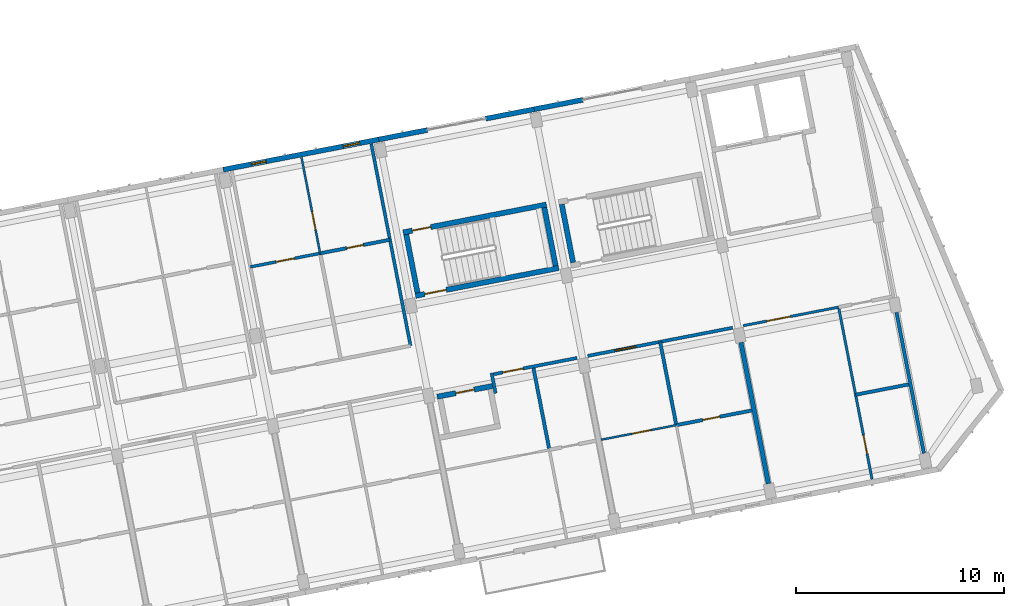
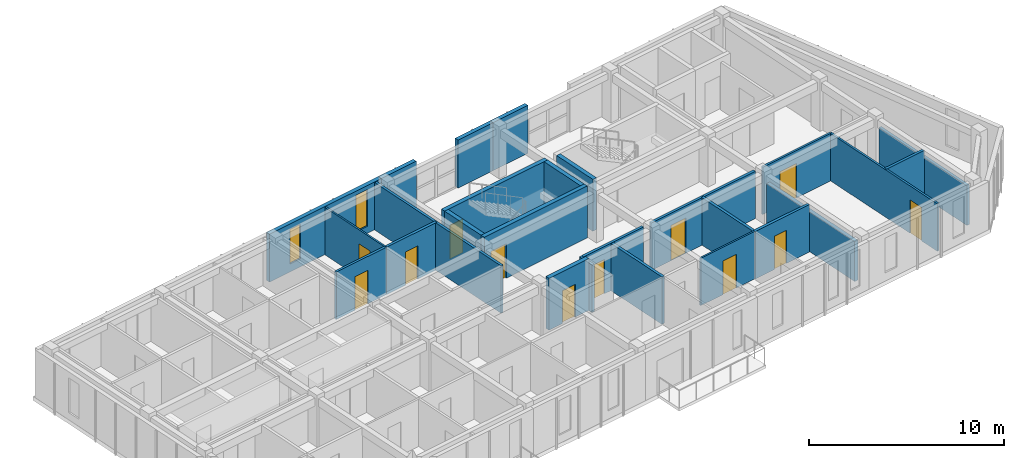
# One storey, part 32 of 74: 26 walls, 12 doors, 2 windows, 14 openings.
"""IFC4 building model written with IfcOpenShell, lengths in metres."""

from ifc_helpers import new_model, si_unit, direction, frame, frame_2d, origin, place, context, subcontext, project, spatial, rectangle, extrude, material, layer, layer_set, type_object, element, fill, save


model = new_model("IFC4")

# Units and contexts
model_context = context("Model", 3, precision=1e-05, world=origin(), true_north=direction((0.0, 1.0)))
body_context = subcontext(model_context, "Body", "Model", "MODEL_VIEW")
ifc_project = project(units=[si_unit("LENGTHUNIT", "METRE"), si_unit("AREAUNIT", "SQUARE_METRE"), si_unit("VOLUMEUNIT", "CUBIC_METRE"), si_unit("PLANEANGLEUNIT", "RADIAN"), si_unit("MASSUNIT", "GRAM", prefix="KILO")], contexts=[model_context])

# Site, building, storey
site_placement = place(None, origin())
site = spatial("IfcSite", under=ifc_project, at=site_placement, CompositionType="ELEMENT")
building_placement = place(site_placement, origin())
building = spatial("IfcBuilding", under=site, at=building_placement, Name="Kestramere Prow Commons", CompositionType="ELEMENT")
storey_placement = place(building_placement, frame((0.0, 0.0, 11.64990234375)))
storey = spatial("IfcBuildingStorey", under=building, at=storey_placement, Name="L03", CompositionType="ELEMENT", Elevation=11.64990234375)

# Wall, openings, windows
ifc_material_1 = material(Name="Fluoropolymer Standing-Seam Zinc-Aluminium Cladding", Category="aluminium")
ifc_layer_1 = layer(ifc_material_1, 0.239990234375)
ifc_layer_set_1 = layer_set([ifc_layer_1], Name="Fluoropolymer Standing-Seam Zinc-Aluminium Cladding")
wall_type_1 = type_object("IfcWallType", Name="EW-SEAM-240", PredefinedType="SOLIDWALL", material=ifc_layer_set_1)
wall_1_placement = place(storey_placement, frame((129.480712890625, 56.655517578125, 0.0), z_axis=(0.0, 0.0, 1.0), x_axis=(0.981626422232, 0.190812911449, 0.0)))
wall_1 = element("IfcWall", 1, at=wall_1_placement, inside=storey, type_object=wall_type_1, Name="Block D L03 North Standing-Seam Wall 3", PredefinedType="SOLIDWALL", context=body_context, shape_type="SweptSolid", body=[
    extrude(rectangle(XDim=7.60009765625, YDim=0.239990234375, at=frame_2d((3.800048828125, 0.0))), origin(), (0.0, 0.0, 1.0), 3.0),
])
opening_1_placement = place(wall_1_placement, frame((1.384033203125, 0.0, 0.5)))
opening_1 = element("IfcOpeningElement", 2, at=opening_1_placement, cuts=wall_1, Name="Opening WN-08", PredefinedType="OPENING", context=body_context, shape_type="SweptSolid", body=[
    extrude(rectangle(XDim=0.719970703125, YDim=2.159912109375, at=frame_2d((0.35986328125, 1.080078125))), frame((0.0, 0.135009765625, 0.0), z_axis=(0.0, -1.0, 0.0), x_axis=(1.0, 0.0, 0.0)), (0.0, 0.0, 1.0), 0.27001953125),
])
opening_2_placement = place(wall_1_placement, frame((5.87255859375, 0.0, 0.43994140625)))
opening_2 = element("IfcOpeningElement", 3, at=opening_2_placement, cuts=wall_1, Name="Opening WN-12", PredefinedType="OPENING", context=body_context, shape_type="SweptSolid", body=[
    extrude(rectangle(XDim=0.800048828125, YDim=2.300048828125, at=frame_2d((0.39990234375, 1.14990234375))), frame((0.0, 0.135009765625, 0.0), z_axis=(0.0, -1.0, 0.0), x_axis=(1.0, 0.0, 0.0)), (0.0, 0.0, 1.0), 0.27001953125),
])
ifc_material_2 = material(Name="Low-E Laminated Double Glazing", Category="glass")
window_type_1 = type_object("IfcWindowType", Name="WN-NAR-720A", PartitioningType="SINGLE_PANEL", PredefinedType="WINDOW", material=ifc_material_2)
window_1_placement = place(opening_1_placement, origin())
window_1 = element("IfcWindow", 4, at=window_1_placement, inside=storey, type_object=window_type_1, Name="WN-D-L03-N-2-0", OverallHeight=2.159912109375, OverallWidth=0.719970703125, PartitioningType="SINGLE_PANEL", PredefinedType="WINDOW", context=body_context, shape_type="SweptSolid", body=[
    extrude(rectangle(XDim=0.719970703125, YDim=2.159912109375, at=frame_2d((0.35986328125, 1.080078125))), frame((0.0, 0.030029296875, 0.0), z_axis=(0.0, -1.0, 0.0), x_axis=(1.0, 0.0, 0.0)), (0.0, 0.0, 1.0), 0.06005859375),
])
fill(opening_1, window_1)
window_type_2 = type_object("IfcWindowType", Name="WN-NAR-800A", PartitioningType="SINGLE_PANEL", PredefinedType="WINDOW", material=ifc_material_2)
window_2_placement = place(opening_2_placement, origin())
window_2 = element("IfcWindow", 5, at=window_2_placement, inside=storey, type_object=window_type_2, Name="WN-D-L03-N-2-1", OverallHeight=2.300048828125, OverallWidth=0.800048828125, PartitioningType="SINGLE_PANEL", PredefinedType="WINDOW", context=body_context, shape_type="SweptSolid", body=[
    extrude(rectangle(XDim=0.800048828125, YDim=2.300048828125, at=frame_2d((0.39990234375, 1.14990234375))), frame((0.0, 0.030029296875, 0.0), z_axis=(0.0, -1.0, 0.0), x_axis=(1.0, 0.0, 0.0)), (0.0, 0.0, 1.0), 0.06005859375),
])
fill(opening_2, window_2)

# Walls
for number, where, z_axis, x_axis, name in (
    (6, (136.941162109375, 58.105712890625, 0.0), (0.0, 0.0, 1.0), (0.981629832251, 0.190795367961, 0.0), "Block D L03 North Standing-Seam Pier 4L"),
    (7, (142.070068359375, 59.102783203125, 0.0), (0.0, 0.0, 1.0), (0.981629832251, 0.190795367961, 0.0), "Block D L03 North Standing-Seam Pier 4R"),
):
    element("IfcWall", number, at=place(storey_placement, frame(where, z_axis=z_axis, x_axis=x_axis)), inside=storey, type_object=wall_type_1, Name=name, PredefinedType="SOLIDWALL", context=body_context, shape_type="SweptSolid", body=[
        extrude(rectangle(XDim=2.375, YDim=0.239990234375, at=frame_2d((1.1875, 0.0))), origin(), (0.0, 0.0, 1.0), 3.0),
    ])
wall_2_placement = place(storey_placement, frame((144.4013671875, 59.555908203125, 0.0), z_axis=(0.0, 0.0, 1.0), x_axis=(0.981633573872, 0.190776116556, 0.0)))
element("IfcWall", 8, at=wall_2_placement, inside=storey, type_object=wall_type_1, Name="Block D L03 North Standing-Seam Pier 5L", PredefinedType="SOLIDWALL", context=body_context, shape_type="SweptSolid", body=[
    extrude(rectangle(XDim=2.375244140625, YDim=0.239990234375, at=frame_2d((1.1875, 0.0))), origin(), (0.0, 0.0, 1.0), 3.0),
])

# Wall, opening, door
ifc_material_3 = material(Name="Concrete C40/50", Category="concrete")
ifc_layer_2 = layer(ifc_material_3, 0.25)
ifc_layer_set_2 = layer_set([ifc_layer_2], Name="Concrete C40/50")
wall_type_2 = type_object("IfcWallType", Name="W-CORE-250", PredefinedType="SHEAR", material=ifc_layer_set_2)
wall_3_placement = place(storey_placement, frame((138.11328125, 53.6474609375, 0.0), z_axis=(0.0, 0.0, 1.0), x_axis=(0.981626097708, 0.19081458094, 0.0)))
wall_3 = element("IfcWall", 9, at=wall_3_placement, inside=storey, type_object=wall_type_2, Name="ST-D1 L03 North Shaft Wall", PredefinedType="SHEAR", context=body_context, shape_type="SweptSolid", body=[
    extrude(rectangle(XDim=7.0, YDim=0.25, at=frame_2d((3.5, 0.0))), origin(), (0.0, 0.0, 1.0), 3.25),
])
opening_3_placement = place(wall_3_placement, frame((0.449951171875, 0.0, 0.0)))
opening_3 = element("IfcOpeningElement", 10, at=opening_3_placement, cuts=wall_3, Name="Opening ID-08", PredefinedType="OPENING", context=body_context, shape_type="SweptSolid", body=[
    extrude(rectangle(XDim=0.89990234375, YDim=2.10009765625, at=frame_2d((0.449951171875, 1.050048828125))), frame((0.0, 0.139892578125, 0.0), z_axis=(0.0, -1.0, 0.0), x_axis=(1.0, 0.0, 0.0)), (0.0, 0.0, 1.0), 0.280029296875),
])
ifc_material_4 = material(Name="Engineered Timber Flush Door", Category="wood")
door_type_1 = type_object("IfcDoorType", Name="D-RM-01", OperationType="NOTDEFINED", PredefinedType="DOOR", material=ifc_material_4)
door_1_placement = place(opening_3_placement, origin())
door_1 = element("IfcDoor", 11, at=door_1_placement, inside=storey, type_object=door_type_1, Name="ST-D1 L03 North Room Door", OperationType="SINGLE_SWING_RIGHT", OverallHeight=2.10009765625, OverallWidth=0.89990234375, PredefinedType="DOOR", context=body_context, shape_type="SweptSolid", body=[
    extrude(rectangle(XDim=0.89990234375, YDim=2.10009765625, at=frame_2d((0.449951171875, 1.050048828125))), frame((0.0, 0.02490234375, 0.0), z_axis=(0.0, -1.0, 0.0), x_axis=(1.0, 0.0, 0.0)), (0.0, 0.0, 1.0), 0.050048828125),
])
fill(opening_3, door_1)

wall_4_placement = place(storey_placement, frame((138.704833984375, 50.6044921875, 0.0), z_axis=(0.0, 0.0, 1.0), x_axis=(0.981626097708, 0.19081458094, 0.0)))
wall_4 = element("IfcWall", 12, at=wall_4_placement, inside=storey, type_object=wall_type_2, Name="ST-D1 L03 Corridor Shaft Wall", PredefinedType="SHEAR", context=body_context, shape_type="SweptSolid", body=[
    extrude(rectangle(XDim=7.0, YDim=0.25, at=frame_2d((3.5, 0.0))), origin(), (0.0, 0.0, 1.0), 3.25),
])
opening_4_placement = place(wall_4_placement, frame((0.449951171875, 0.0, 0.0)))
opening_4 = element("IfcOpeningElement", 13, at=opening_4_placement, cuts=wall_4, Name="Opening ID-01", PredefinedType="OPENING", context=body_context, shape_type="SweptSolid", body=[
    extrude(rectangle(XDim=1.050048828125, YDim=2.14990234375, at=frame_2d((0.52490234375, 1.074951171875))), frame((0.0, 0.139892578125, 0.0), z_axis=(0.0, -1.0, 0.0), x_axis=(1.0, 0.0, 0.0)), (0.0, 0.0, 1.0), 0.280029296875),
])
ifc_material_5 = material(Name="Fire-Rated Timber and Steel Frame", Category="steel")
door_type_2 = type_object("IfcDoorType", Name="FD-ST-01", OperationType="NOTDEFINED", PredefinedType="DOOR", material=ifc_material_5)
door_2_placement = place(opening_4_placement, origin())
door_2 = element("IfcDoor", 14, at=door_2_placement, inside=storey, type_object=door_type_2, Name="ST-D1 L03 Protected Stair Door", OperationType="SINGLE_SWING_RIGHT", OverallHeight=2.14990234375, OverallWidth=1.050048828125, PredefinedType="DOOR", context=body_context, shape_type="SweptSolid", body=[
    extrude(rectangle(XDim=1.050048828125, YDim=2.14990234375, at=frame_2d((0.52490234375, 1.074951171875))), frame((0.0, 0.02490234375, 0.0), z_axis=(0.0, -1.0, 0.0), x_axis=(1.0, 0.0, 0.0)), (0.0, 0.0, 1.0), 0.050048828125),
])
fill(opening_4, door_2)

# Walls
wall_5_placement = place(storey_placement, frame((138.8037109375, 50.7509765625, 0.0), z_axis=(0.0, 0.0, 1.0), x_axis=(-0.190858194834, 0.981617618762, 0.0)))
element("IfcWall", 15, at=wall_5_placement, inside=storey, type_object=wall_type_2, Name="ST-D1 L03 Near Shaft Wall", PredefinedType="SHEAR", context=body_context, shape_type="SweptSolid", body=[
    extrude(rectangle(XDim=2.85009765625, YDim=0.25, at=frame_2d((1.425048828125, 0.0))), origin(), (0.0, 0.0, 1.0), 3.25),
])
wall_6_placement = place(storey_placement, frame((145.4296875, 52.038818359375, 0.0), z_axis=(0.0, 0.0, 1.0), x_axis=(-0.190842147128, 0.981620738819, 0.0)))
element("IfcWall", 16, at=wall_6_placement, inside=storey, type_object=wall_type_2, Name="ST-D1 L03 Far Shaft Wall", PredefinedType="SHEAR", context=body_context, shape_type="SweptSolid", body=[
    extrude(rectangle(XDim=2.850341796875, YDim=0.25, at=frame_2d((1.42529296875, 0.0))), origin(), (0.0, 0.0, 1.0), 3.25),
])
wall_7_placement = place(storey_placement, frame((146.263916015625, 52.201171875, 0.0), z_axis=(0.0, 0.0, 1.0), x_axis=(-0.190775649797, 0.981633664584, 0.0)))
element("IfcWall", 17, at=wall_7_placement, inside=storey, type_object=wall_type_2, Name="ST-D2 L03 Near Shaft Wall", PredefinedType="SHEAR", context=body_context, shape_type="SweptSolid", body=[
    extrude(rectangle(XDim=2.849853515625, YDim=0.25, at=frame_2d((1.4248046875, 0.0))), origin(), (0.0, 0.0, 1.0), 3.25),
])
ifc_material_6 = material(Name="Fire-Rated Calcium Silicate Wall")
ifc_layer_3 = layer(ifc_material_6, 0.155029296875)
ifc_layer_set_3 = layer_set([ifc_layer_3], Name="Fire-Rated Calcium Silicate Wall")
wall_type_3 = type_object("IfcWallType", Name="W-FIRE-150", PredefinedType="PARTITIONING", material=ifc_layer_set_3)
wall_8_placement = place(storey_placement, frame((142.5478515625, 45.9267578125, 0.0), z_axis=(0.0, 0.0, 1.0), x_axis=(-0.190639805817, 0.981660055436, 0.0)))
element("IfcWall", 18, at=wall_8_placement, inside=storey, type_object=wall_type_3, Name="Interior Partition PW-D-L03-HS-CLOSER", PredefinedType="PARTITIONING", context=body_context, shape_type="SweptSolid", body=[
    extrude(rectangle(XDim=0.9951171875, YDim=0.155029296875, at=frame_2d((0.49755859375, 0.0))), origin(), (0.0, 0.0, 1.0), 2.97021484375),
])

# Wall, opening, door
wall_9_placement = place(storey_placement, frame((142.450927734375, 46.84521484375, 0.0), z_axis=(0.0, 0.0, 1.0), x_axis=(0.981636249117, 0.190762350636, 0.0)))
wall_9 = element("IfcWall", 19, at=wall_9_placement, inside=storey, type_object=wall_type_3, Name="Interior Partition PW-D-L03-CS-3", PredefinedType="PARTITIONING", context=body_context, shape_type="SweptSolid", body=[
    extrude(rectangle(XDim=4.080078125, YDim=0.155029296875, at=frame_2d((2.0400390625, 0.0))), origin(), (0.0, 0.0, 1.0), 2.97021484375),
])
opening_5_placement = place(wall_9_placement, frame((0.4580078125, 0.0, 0.0)))
opening_5 = element("IfcOpeningElement", 20, at=opening_5_placement, cuts=wall_9, Name="Opening ID-04", PredefinedType="OPENING", context=body_context, shape_type="SweptSolid", body=[
    extrude(rectangle(XDim=0.97998046875, YDim=2.14990234375, at=frame_2d((0.489990234375, 1.074951171875))), frame((0.0, 0.092529296875, 0.0), z_axis=(0.0, -1.0, 0.0), x_axis=(1.0, 0.0, 0.0)), (0.0, 0.0, 1.0), 0.18505859375),
])
ifc_material_7 = material(Name="Hardwood Fire-Rated Flat Entrance Door", Category="wood")
door_type_3 = type_object("IfcDoorType", Name="FD-ENT-01", OperationType="NOTDEFINED", PredefinedType="DOOR", material=ifc_material_7)
door_3_placement = place(opening_5_placement, origin())
door_3 = element("IfcDoor", 21, at=door_3_placement, inside=storey, type_object=door_type_3, Name="Interior Door DR-D-L03-ENT-S3", OperationType="SINGLE_SWING_LEFT", OverallHeight=2.14990234375, OverallWidth=0.97998046875, PredefinedType="DOOR", context=body_context, shape_type="SweptSolid", body=[
    extrude(rectangle(XDim=0.97998046875, YDim=2.14990234375, at=frame_2d((0.489990234375, 1.074951171875))), frame((0.0, 0.02490234375, 0.0), z_axis=(0.0, -1.0, 0.0), x_axis=(1.0, 0.0, 0.0)), (0.0, 0.0, 1.0), 0.050048828125),
])
fill(opening_5, door_3)

wall_10_placement = place(storey_placement, frame((146.96630859375, 47.722900390625, 0.0), z_axis=(0.0, 0.0, 1.0), x_axis=(0.981629923556, 0.190794898199, 0.0)))
wall_10 = element("IfcWall", 22, at=wall_10_placement, inside=storey, type_object=wall_type_3, Name="Interior Partition PW-D-L03-CS-4", PredefinedType="PARTITIONING", context=body_context, shape_type="SweptSolid", body=[
    extrude(rectangle(XDim=7.080078125, YDim=0.155029296875, at=frame_2d((3.5400390625, 0.0))), origin(), (0.0, 0.0, 1.0), 2.97021484375),
])
opening_6_placement = place(wall_10_placement, frame((1.330078125, 0.0, 0.0)))
opening_6 = element("IfcOpeningElement", 23, at=opening_6_placement, cuts=wall_10, Name="Opening ID-05", PredefinedType="OPENING", context=body_context, shape_type="SweptSolid", body=[
    extrude(rectangle(XDim=1.02001953125, YDim=2.199951171875, at=frame_2d((0.510009765625, 1.10009765625))), frame((0.0, 0.092529296875, 0.0), z_axis=(0.0, -1.0, 0.0), x_axis=(1.0, 0.0, 0.0)), (0.0, 0.0, 1.0), 0.18505859375),
])
door_type_4 = type_object("IfcDoorType", Name="FD-ENT-02", OperationType="NOTDEFINED", PredefinedType="DOOR", material=ifc_material_7)
door_4_placement = place(opening_6_placement, origin())
door_4 = element("IfcDoor", 24, at=door_4_placement, inside=storey, type_object=door_type_4, Name="Interior Door DR-D-L03-ENT-S4", OperationType="SINGLE_SWING_RIGHT", OverallHeight=2.199951171875, OverallWidth=1.02001953125, PredefinedType="DOOR", context=body_context, shape_type="SweptSolid", body=[
    extrude(rectangle(XDim=1.02001953125, YDim=2.199951171875, at=frame_2d((0.510009765625, 1.10009765625))), frame((0.0, 0.02490234375, 0.0), z_axis=(0.0, -1.0, 0.0), x_axis=(1.0, 0.0, 0.0)), (0.0, 0.0, 1.0), 0.050048828125),
])
fill(opening_6, door_4)

ifc_layer_4 = layer(ifc_material_3, 0.25)
ifc_layer_set_4 = layer_set([ifc_layer_4], Name="Concrete C40/50")
wall_type_4 = type_object("IfcWallType", Name="W-HS-250", PredefinedType="SHEAR", material=ifc_layer_set_4)
wall_11_placement = place(storey_placement, frame((139.74755859375, 45.764404296875, 0.0), z_axis=(0.0, 0.0, 1.0), x_axis=(0.981630445883, 0.190792210834, 0.0)))
wall_11 = element("IfcWall", 25, at=wall_11_placement, inside=storey, type_object=wall_type_4, Name="Block D L03 Household Shelter North Wall", PredefinedType="SHEAR", context=body_context, shape_type="SweptSolid", body=[
    extrude(rectangle(XDim=2.699951171875, YDim=0.25, at=frame_2d((1.35009765625, 0.0))), origin(), (0.0, 0.0, 1.0), 3.25),
])
opening_7_placement = place(wall_11_placement, frame((0.89990234375, 0.0, 0.0)))
opening_7 = element("IfcOpeningElement", 26, at=opening_7_placement, cuts=wall_11, Name="Opening ID-06", PredefinedType="OPENING", context=body_context, shape_type="SweptSolid", body=[
    extrude(rectangle(XDim=0.89990234375, YDim=2.050048828125, at=frame_2d((0.449951171875, 1.02490234375))), frame((0.0, 0.139892578125, 0.0), z_axis=(0.0, -1.0, 0.0), x_axis=(1.0, 0.0, 0.0)), (0.0, 0.0, 1.0), 0.280029296875),
])
ifc_material_8 = material(Name="Galvanised Steel S275JR Household Shelter Door", Category="steel")
door_type_5 = type_object("IfcDoorType", Name="FD-HS-01", OperationType="NOTDEFINED", PredefinedType="DOOR", material=ifc_material_8)
door_5_placement = place(opening_7_placement, origin())
door_5 = element("IfcDoor", 27, at=door_5_placement, inside=storey, type_object=door_type_5, Name="Block D L03 Household Shelter Blast Door", OperationType="SINGLE_SWING_LEFT", OverallHeight=2.050048828125, OverallWidth=0.89990234375, PredefinedType="DOOR", context=body_context, shape_type="SweptSolid", body=[
    extrude(rectangle(XDim=0.89990234375, YDim=2.050048828125, at=frame_2d((0.449951171875, 1.02490234375))), frame((0.0, 0.02490234375, 0.0), z_axis=(0.0, -1.0, 0.0), x_axis=(1.0, 0.0, 0.0)), (0.0, 0.0, 1.0), 0.050048828125),
])
fill(opening_7, door_5)

ifc_material_9 = material(Name="Gypsum Acoustic Drywall")
ifc_layer_5 = layer(ifc_material_9, 0.10009765625)
ifc_layer_set_5 = layer_set([ifc_layer_5], Name="Gypsum Acoustic Drywall")
wall_type_5 = type_object("IfcWallType", Name="W-PART-100", PredefinedType="PARTITIONING", material=ifc_layer_set_5)
wall_12_placement = place(storey_placement, frame((134.131591796875, 52.644287109375, 0.0), z_axis=(0.0, 0.0, 1.0), x_axis=(-0.190837612577, 0.981621620394, 0.0)))
wall_12 = element("IfcWall", 28, at=wall_12_placement, inside=storey, type_object=wall_type_5, Name="Interior Partition PW-D-L03-LB-N2", PredefinedType="PARTITIONING", context=body_context, shape_type="SweptSolid", body=[
    extrude(rectangle(XDim=4.68994140625, YDim=0.10009765625, at=frame_2d((2.344970703125, 0.0))), origin(), (0.0, 0.0, 1.0), 2.97021484375),
])
opening_8_placement = place(wall_12_placement, frame((1.14990234375, 0.0, 0.0)))
opening_8 = element("IfcOpeningElement", 29, at=opening_8_placement, cuts=wall_12, Name="Opening ID-10", PredefinedType="OPENING", context=body_context, shape_type="SweptSolid", body=[
    extrude(rectangle(XDim=0.8798828125, YDim=2.10009765625, at=frame_2d((0.43994140625, 1.050048828125))), frame((0.0, 0.06494140625, 0.0), z_axis=(0.0, -1.0, 0.0), x_axis=(1.0, 0.0, 0.0)), (0.0, 0.0, 1.0), 0.130126953125),
])
ifc_material_10 = material(Name="Engineered Timber Bedroom Door", Category="wood")
door_type_6 = type_object("IfcDoorType", Name="D-RM-03", OperationType="NOTDEFINED", PredefinedType="DOOR", material=ifc_material_10)
door_6_placement = place(opening_8_placement, origin())
door_6 = element("IfcDoor", 30, at=door_6_placement, inside=storey, type_object=door_type_6, Name="Interior Door DR-D-L03-BED-N2", OperationType="SINGLE_SWING_LEFT", OverallHeight=2.10009765625, OverallWidth=0.8798828125, PredefinedType="DOOR", context=body_context, shape_type="SweptSolid", body=[
    extrude(rectangle(XDim=0.8798828125, YDim=2.10009765625, at=frame_2d((0.43994140625, 1.050048828125))), frame((0.0, 0.02490234375, 0.0), z_axis=(0.0, -1.0, 0.0), x_axis=(1.0, 0.0, 0.0)), (0.0, 0.0, 1.0), 0.050048828125),
])
fill(opening_8, door_6)

ifc_material_11 = material(Name="Lightweight Blockwork and Plaster", Category="masonry")
ifc_layer_6 = layer(ifc_material_11, 0.1201171875)
ifc_layer_set_6 = layer_set([ifc_layer_6], Name="Lightweight Blockwork and Plaster")
wall_type_6 = type_object("IfcWallType", Name="W-PART-120", PredefinedType="PARTITIONING", material=ifc_layer_set_6)
wall_13_placement = place(storey_placement, frame((154.4267578125, 49.173095703125, 0.0), z_axis=(0.0, 0.0, 1.0), x_axis=(0.981628202514, 0.190803752658, 0.0)))
wall_13 = element("IfcWall", 31, at=wall_13_placement, inside=storey, type_object=wall_type_6, Name="Interior Partition PW-D-L03-CS-5A", PredefinedType="PARTITIONING", context=body_context, shape_type="SweptSolid", body=[
    extrude(rectangle(XDim=4.66015625, YDim=0.1201171875, at=frame_2d((2.330078125, 0.0))), origin(), (0.0, 0.0, 1.0), 2.97021484375),
])
opening_9_placement = place(wall_13_placement, frame((1.14990234375, 0.0, 0.0)))
opening_9 = element("IfcOpeningElement", 32, at=opening_9_placement, cuts=wall_13, Name="Opening ID-09", PredefinedType="OPENING", context=body_context, shape_type="SweptSolid", body=[
    extrude(rectangle(XDim=1.14990234375, YDim=2.14990234375, at=frame_2d((0.574951171875, 1.074951171875))), frame((0.0, 0.074951171875, 0.0), z_axis=(0.0, -1.0, 0.0), x_axis=(1.0, 0.0, 0.0)), (0.0, 0.0, 1.0), 0.150146484375),
])
ifc_material_12 = material(Name="Engineered Timber Acoustic Door", Category="wood")
door_type_7 = type_object("IfcDoorType", Name="D-RM-02", OperationType="NOTDEFINED", PredefinedType="DOOR", material=ifc_material_12)
door_7_placement = place(opening_9_placement, origin())
door_7 = element("IfcDoor", 33, at=door_7_placement, inside=storey, type_object=door_type_7, Name="Interior Door DR-D-L03-SKY-5", OperationType="SINGLE_SWING_LEFT", OverallHeight=2.14990234375, OverallWidth=1.14990234375, PredefinedType="DOOR", context=body_context, shape_type="SweptSolid", body=[
    extrude(rectangle(XDim=1.14990234375, YDim=2.14990234375, at=frame_2d((0.574951171875, 1.074951171875))), frame((0.0, 0.02490234375, 0.0), z_axis=(0.0, -1.0, 0.0), x_axis=(1.0, 0.0, 0.0)), (0.0, 0.0, 1.0), 0.050048828125),
])
fill(opening_9, door_7)

wall_14_placement = place(storey_placement, frame((160.60595703125, 41.806640625, 0.0), z_axis=(0.0, 0.0, 1.0), x_axis=(-0.190809830256, 0.981627021163, 0.0)))
wall_14 = element("IfcWall", 34, at=wall_14_placement, inside=storey, type_object=wall_type_6, Name="Interior Partition PW-D-L03-SKDV-5", PredefinedType="PARTITIONING", context=body_context, shape_type="SweptSolid", body=[
    extrude(rectangle(XDim=8.41015625, YDim=0.1201171875, at=frame_2d((4.205078125, 0.0))), origin(), (0.0, 0.0, 1.0), 2.97021484375),
])
opening_10_placement = place(wall_14_placement, frame((1.25, 0.0, 0.0)))
opening_10 = element("IfcOpeningElement", 35, at=opening_10_placement, cuts=wall_14, Name="Opening ID-08", PredefinedType="OPENING", context=body_context, shape_type="SweptSolid", body=[
    extrude(rectangle(XDim=0.89990234375, YDim=2.10009765625, at=frame_2d((0.449951171875, 1.050048828125))), frame((0.0, 0.074951171875, 0.0), z_axis=(0.0, -1.0, 0.0), x_axis=(1.0, 0.0, 0.0)), (0.0, 0.0, 1.0), 0.150146484375),
])
door_8_placement = place(opening_10_placement, origin())
door_8 = element("IfcDoor", 36, at=door_8_placement, inside=storey, type_object=door_type_1, Name="Interior Door DR-D-L03-SKAL-5", OperationType="SINGLE_SWING_LEFT", OverallHeight=2.10009765625, OverallWidth=0.89990234375, PredefinedType="DOOR", context=body_context, shape_type="SweptSolid", body=[
    extrude(rectangle(XDim=0.89990234375, YDim=2.10009765625, at=frame_2d((0.449951171875, 1.050048828125))), frame((0.0, 0.02490234375, 0.0), z_axis=(0.0, -1.0, 0.0), x_axis=(1.0, 0.0, 0.0)), (0.0, 0.0, 1.0), 0.050048828125),
])
fill(opening_10, door_8)

ifc_material_13 = material(Name="Masonry Compartment Wall", Category="masonry")
ifc_layer_7 = layer(ifc_material_13, 0.139892578125)
ifc_layer_set_7 = layer_set([ifc_layer_7], Name="Masonry Compartment Wall")
wall_type_7 = type_object("IfcWallType", Name="W-PART-140", PredefinedType="PARTITIONING", material=ifc_layer_set_7)
wall_15_placement = place(storey_placement, frame((130.7841796875, 51.99365234375, 0.0), z_axis=(0.0, 0.0, 1.0), x_axis=(0.981629173664, 0.190798756314, 0.0)))
wall_15 = element("IfcWall", 37, at=wall_15_placement, inside=storey, type_object=wall_type_7, Name="Interior Partition PW-D-L03-MIDN1-2", PredefinedType="PARTITIONING", context=body_context, shape_type="SweptSolid", body=[
    extrude(rectangle(XDim=3.41015625, YDim=0.139892578125, at=frame_2d((1.705078125, 0.0))), origin(), (0.0, 0.0, 1.0), 2.97021484375),
])
opening_11_placement = place(wall_15_placement, frame((1.2548828125, 0.0, 0.0)))
opening_11 = element("IfcOpeningElement", 38, at=opening_11_placement, cuts=wall_15, Name="Opening ID-08", PredefinedType="OPENING", context=body_context, shape_type="SweptSolid", body=[
    extrude(rectangle(XDim=0.89990234375, YDim=2.10009765625, at=frame_2d((0.449951171875, 1.050048828125))), frame((0.0, 0.0849609375, 0.0), z_axis=(0.0, -1.0, 0.0), x_axis=(1.0, 0.0, 0.0)), (0.0, 0.0, 1.0), 0.169921875),
])
door_9_placement = place(opening_11_placement, origin())
door_9 = element("IfcDoor", 39, at=door_9_placement, inside=storey, type_object=door_type_1, Name="Interior Door DR-D-L03-KL-N2", OperationType="SINGLE_SWING_LEFT", OverallHeight=2.10009765625, OverallWidth=0.89990234375, PredefinedType="DOOR", context=body_context, shape_type="SweptSolid", body=[
    extrude(rectangle(XDim=0.89990234375, YDim=2.10009765625, at=frame_2d((0.449951171875, 1.050048828125))), frame((0.0, 0.02490234375, 0.0), z_axis=(0.0, -1.0, 0.0), x_axis=(1.0, 0.0, 0.0)), (0.0, 0.0, 1.0), 0.050048828125),
])
fill(opening_11, door_9)

# Wall
ifc_layer_8 = layer(ifc_material_13, 0.14990234375)
ifc_layer_set_8 = layer_set([ifc_layer_8], Name="Masonry Compartment Wall")
wall_type_8 = type_object("IfcWallType", Name="W-PART-150", PredefinedType="PARTITIONING", material=ifc_layer_set_8)
wall_16_placement = place(storey_placement, frame((138.46728515625, 48.210205078125, 0.0), z_axis=(0.0, 0.0, 1.0), x_axis=(-0.190814044018, 0.981626202078, 0.0)))
element("IfcWall", 40, at=wall_16_placement, inside=storey, type_object=wall_type_8, Name="Interior Partition PW-D-L03-NWR-2", PredefinedType="PARTITIONING", context=body_context, shape_type="SweptSolid", body=[
    extrude(rectangle(XDim=9.869873046875, YDim=0.14990234375, at=frame_2d((4.93505859375, 0.0))), origin(), (0.0, 0.0, 1.0), 2.97021484375),
])

# Wall, opening, door
ifc_layer_9 = layer(ifc_material_9, 0.094970703125)
ifc_layer_set_9 = layer_set([ifc_layer_9], Name="Gypsum Acoustic Drywall")
wall_type_9 = type_object("IfcWallType", Name="W-PART-95", PredefinedType="PARTITIONING", material=ifc_layer_set_9)
wall_17_placement = place(storey_placement, frame((147.6005859375, 43.699951171875, 0.0), z_axis=(0.0, 0.0, 1.0), x_axis=(0.981628834294, 0.190800502313, 0.0)))
wall_17 = element("IfcWall", 41, at=wall_17_placement, inside=storey, type_object=wall_type_9, Name="Interior Partition PW-D-L03-MIDS1-4", PredefinedType="PARTITIONING", context=body_context, shape_type="SweptSolid", body=[
    extrude(rectangle(XDim=3.68505859375, YDim=0.094970703125, at=frame_2d((1.842529296875, 0.0))), origin(), (0.0, 0.0, 1.0), 2.97021484375),
])
opening_12_placement = place(wall_17_placement, frame((1.52490234375, 0.0, 0.0)))
opening_12 = element("IfcOpeningElement", 42, at=opening_12_placement, cuts=wall_17, Name="Opening ID-08", PredefinedType="OPENING", context=body_context, shape_type="SweptSolid", body=[
    extrude(rectangle(XDim=0.89990234375, YDim=2.10009765625, at=frame_2d((0.449951171875, 1.050048828125))), frame((0.0, 0.0625, 0.0), z_axis=(0.0, -1.0, 0.0), x_axis=(1.0, 0.0, 0.0)), (0.0, 0.0, 1.0), 0.125),
])
door_10_placement = place(opening_12_placement, origin())
door_10 = element("IfcDoor", 43, at=door_10_placement, inside=storey, type_object=door_type_1, Name="Interior Door DR-D-L03-KL-S4", OperationType="SINGLE_SWING_RIGHT", OverallHeight=2.10009765625, OverallWidth=0.89990234375, PredefinedType="DOOR", context=body_context, shape_type="SweptSolid", body=[
    extrude(rectangle(XDim=0.89990234375, YDim=2.10009765625, at=frame_2d((0.449951171875, 1.050048828125))), frame((0.0, 0.02490234375, 0.0), z_axis=(0.0, -1.0, 0.0), x_axis=(1.0, 0.0, 0.0)), (0.0, 0.0, 1.0), 0.050048828125),
])
fill(opening_12, door_10)

# Walls
ifc_material_14 = material(Name="Waterproof Sanitary Masonry Wall", Category="masonry")
ifc_layer_10 = layer(ifc_material_14, 0.1650390625)
ifc_layer_set_10 = layer_set([ifc_layer_10], Name="Waterproof Sanitary Masonry Wall")
wall_type_10 = type_object("IfcWallType", Name="W-PLUMB-150", PredefinedType="PLUMBINGWALL", material=ifc_layer_set_10)
wall_18_placement = place(storey_placement, frame((163.093505859375, 43.05419921875, 0.0), z_axis=(0.0, 0.0, 1.0), x_axis=(-0.190804123115, 0.981628130507, 0.0)))
element("IfcWall", 44, at=wall_18_placement, inside=storey, type_object=wall_type_10, Name="Interior Partition PW-D-L03-PRWE-S", PredefinedType="PLUMBINGWALL", context=body_context, shape_type="SweptSolid", body=[
    extrude(rectangle(XDim=6.880126953125, YDim=0.1650390625, at=frame_2d((3.43994140625, 0.0))), origin(), (0.0, 0.0, 1.0), 2.5),
])
wall_19_placement = place(storey_placement, frame((145.126953125, 43.21923828125, 0.0), z_axis=(0.0, 0.0, 1.0), x_axis=(-0.19081827974, 0.981625378705, 0.0)))
element("IfcWall", 45, at=wall_19_placement, inside=storey, type_object=wall_type_10, Name="Interior Partition PW-D-L03-KB-S3", PredefinedType="PLUMBINGWALL", context=body_context, shape_type="SweptSolid", body=[
    extrude(rectangle(XDim=4.06982421875, YDim=0.1650390625, at=frame_2d((2.034912109375, 0.0))), origin(), (0.0, 0.0, 1.0), 2.97021484375),
])

# Wall, opening, door
wall_20_placement = place(storey_placement, frame((151.218017578125, 44.403076171875, 0.0), z_axis=(0.0, 0.0, 1.0), x_axis=(0.981626422232, 0.190812911449, 0.0)))
wall_20 = element("IfcWall", 46, at=wall_20_placement, inside=storey, type_object=wall_type_10, Name="Interior Partition PW-D-L03-MIDS2-4", PredefinedType="PLUMBINGWALL", context=body_context, shape_type="SweptSolid", body=[
    extrude(rectangle(XDim=3.684814453125, YDim=0.1650390625, at=frame_2d((1.84228515625, 0.0))), origin(), (0.0, 0.0, 1.0), 2.97021484375),
])
opening_13_placement = place(wall_20_placement, frame((1.300048828125, 0.0, 0.0)))
opening_13 = element("IfcOpeningElement", 47, at=opening_13_placement, cuts=wall_20, Name="Opening ID-11", PredefinedType="OPENING", context=body_context, shape_type="SweptSolid", body=[
    extrude(rectangle(XDim=0.820068359375, YDim=2.080078125, at=frame_2d((0.41015625, 1.0400390625))), frame((0.0, 0.097412109375, 0.0), z_axis=(0.0, -1.0, 0.0), x_axis=(1.0, 0.0, 0.0)), (0.0, 0.0, 1.0), 0.195068359375),
])
ifc_material_15 = material(Name="Moisture-Resistant Timber Bathroom Door", Category="wood")
door_type_8 = type_object("IfcDoorType", Name="D-BT-01", OperationType="NOTDEFINED", PredefinedType="DOOR", material=ifc_material_15)
door_11_placement = place(opening_13_placement, origin())
door_11 = element("IfcDoor", 48, at=door_11_placement, inside=storey, type_object=door_type_8, Name="Interior Door DR-D-L03-BTH-S4", OperationType="SINGLE_SWING_LEFT", OverallHeight=2.080078125, OverallWidth=0.820068359375, PredefinedType="DOOR", context=body_context, shape_type="SweptSolid", body=[
    extrude(rectangle(XDim=0.820068359375, YDim=2.080078125, at=frame_2d((0.41015625, 1.0400390625))), frame((0.0, 0.02490234375, 0.0), z_axis=(0.0, -1.0, 0.0), x_axis=(1.0, 0.0, 0.0)), (0.0, 0.0, 1.0), 0.050048828125),
])
fill(opening_13, door_11)

# Walls
wall_21_placement = place(storey_placement, frame((151.218017578125, 44.403076171875, 0.0), z_axis=(0.0, 0.0, 1.0), x_axis=(-0.190807044121, 0.981627562731, 0.0)))
element("IfcWall", 49, at=wall_21_placement, inside=storey, type_object=wall_type_10, Name="Interior Partition PW-D-L03-KB-S4", PredefinedType="PLUMBINGWALL", context=body_context, shape_type="SweptSolid", body=[
    extrude(rectangle(XDim=4.070068359375, YDim=0.1650390625, at=frame_2d((2.03515625, 0.0))), origin(), (0.0, 0.0, 1.0), 2.97021484375),
])
wall_22_placement = place(storey_placement, frame((159.81787109375, 45.86083984375, 0.0), z_axis=(0.0, 0.0, 1.0), x_axis=(0.981628634101, 0.19080153226, 0.0)))
element("IfcWall", 50, at=wall_22_placement, inside=storey, type_object=wall_type_10, Name="Interior Partition PW-D-L03-SKHZ-5", PredefinedType="PLUMBINGWALL", context=body_context, shape_type="SweptSolid", body=[
    extrude(rectangle(XDim=2.58984375, YDim=0.1650390625, at=frame_2d((1.294921875, 0.0))), origin(), (0.0, 0.0, 1.0), 2.97021484375),
])

# Wall, opening, door
wall_23_placement = place(storey_placement, frame((134.131591796875, 52.644287109375, 0.0), z_axis=(0.0, 0.0, 1.0), x_axis=(0.981629173664, 0.190798756314, 0.0)))
wall_23 = element("IfcWall", 51, at=wall_23_placement, inside=storey, type_object=wall_type_10, Name="Interior Partition PW-D-L03-MIDN2-2", PredefinedType="PLUMBINGWALL", context=body_context, shape_type="SweptSolid", body=[
    extrude(rectangle(XDim=3.41015625, YDim=0.1650390625, at=frame_2d((1.705078125, 0.0))), origin(), (0.0, 0.0, 1.0), 2.97021484375),
])
opening_14_placement = place(wall_23_placement, frame((1.294921875, 0.0, 0.0)))
opening_14 = element("IfcOpeningElement", 52, at=opening_14_placement, cuts=wall_23, Name="Opening ID-11", PredefinedType="OPENING", context=body_context, shape_type="SweptSolid", body=[
    extrude(rectangle(XDim=0.820068359375, YDim=2.080078125, at=frame_2d((0.41015625, 1.0400390625))), frame((0.0, 0.097412109375, 0.0), z_axis=(0.0, -1.0, 0.0), x_axis=(1.0, 0.0, 0.0)), (0.0, 0.0, 1.0), 0.195068359375),
])
door_12_placement = place(opening_14_placement, origin())
door_12 = element("IfcDoor", 53, at=door_12_placement, inside=storey, type_object=door_type_8, Name="Interior Door DR-D-L03-BTH-N2", OperationType="SINGLE_SWING_RIGHT", OverallHeight=2.080078125, OverallWidth=0.820068359375, PredefinedType="DOOR", context=body_context, shape_type="SweptSolid", body=[
    extrude(rectangle(XDim=0.820068359375, YDim=2.080078125, at=frame_2d((0.41015625, 1.0400390625))), frame((0.0, 0.02490234375, 0.0), z_axis=(0.0, -1.0, 0.0), x_axis=(1.0, 0.0, 0.0)), (0.0, 0.0, 1.0), 0.050048828125),
])
fill(opening_14, door_12)

# Wall
ifc_material_16 = material(Name="Precast concrete C40/50", Category="concrete")
ifc_layer_11 = layer(ifc_material_16, 0.219970703125)
ifc_layer_set_11 = layer_set([ifc_layer_11], Name="Precast concrete C40/50")
wall_type_11 = type_object("IfcWallType", Name="W-XWALL-220", PredefinedType="SHEAR", material=ifc_layer_set_11)
wall_24_placement = place(storey_placement, frame((155.635009765625, 41.59423828125, 0.0), z_axis=(0.0, 0.0, 1.0), x_axis=(-0.190819465253, 0.981625148252, 0.0)))
element("IfcWall", 54, at=wall_24_placement, inside=storey, type_object=wall_type_11, Name="Block D L03 Precast Cross-Wall 5", PredefinedType="SHEAR", context=body_context, shape_type="SweptSolid", body=[
    extrude(rectangle(XDim=6.89990234375, YDim=0.219970703125, at=frame_2d((3.449951171875, 0.0))), origin(), (0.0, 0.0, 1.0), 2.5),
])

save(model, "model.ifc")
